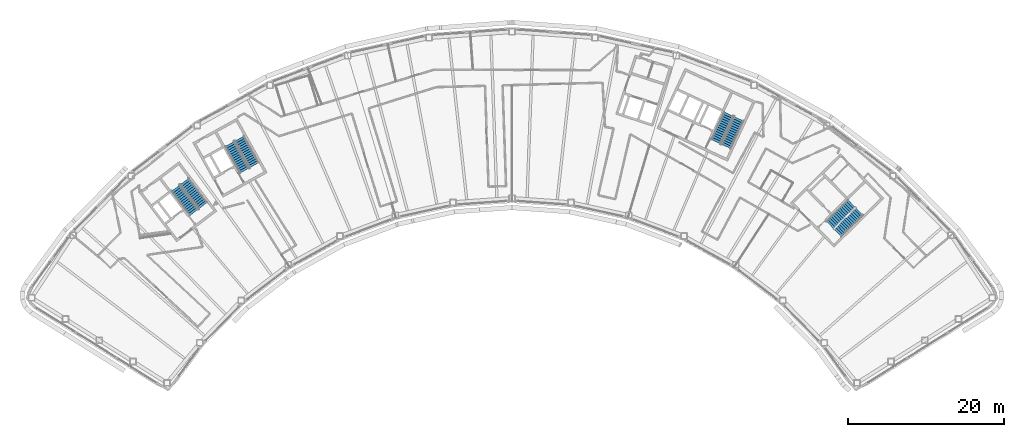
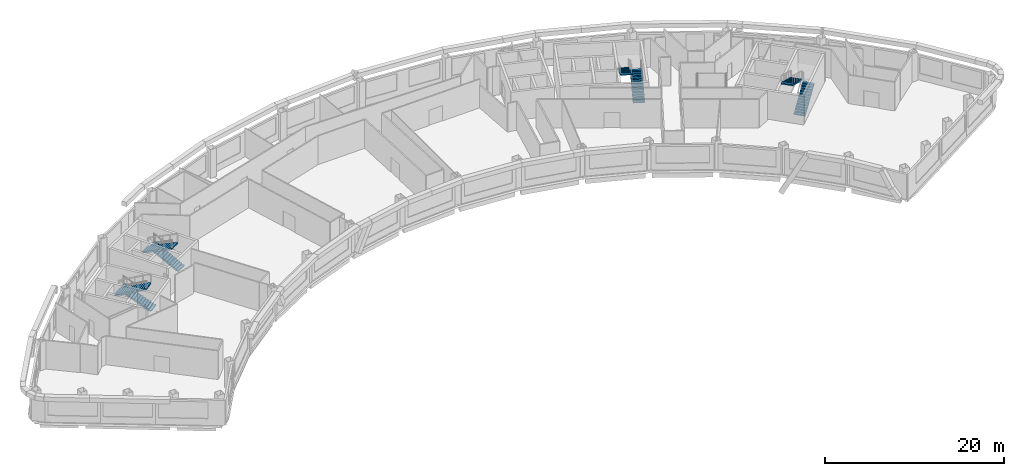
# One storey, part 11 of 13: 8 stair flights, 4 elements without a shape of their own.
"""IFC4 building model written with IfcOpenShell, lengths in metres."""

from ifc_helpers import new_model, si_unit, direction, frame, origin, place, context, subcontext, project, spatial, polyline, outline, extrude, material, type_object, element, aggregate, save


model = new_model("IFC4")

# Units and contexts
model_context = context("Model", 3, precision=1e-05, world=origin(), true_north=direction((0.0, 1.0)))
body_context = subcontext(model_context, "Body", "Model", "MODEL_VIEW")
ifc_project = project(units=[si_unit("LENGTHUNIT", "METRE"), si_unit("AREAUNIT", "SQUARE_METRE"), si_unit("VOLUMEUNIT", "CUBIC_METRE"), si_unit("PLANEANGLEUNIT", "RADIAN"), si_unit("MASSUNIT", "GRAM", prefix="KILO")], contexts=[model_context])

# Site, building, storey
site_placement = place(None, origin())
site = spatial("IfcSite", under=ifc_project, at=site_placement, CompositionType="ELEMENT")
building_placement = place(site_placement, origin())
building = spatial("IfcBuilding", under=site, at=building_placement, Name="Tuul Gate Civic Tower", CompositionType="ELEMENT")
storey_placement = place(building_placement, frame((0.0, 0.0, 290.0)))
storey = spatial("IfcBuildingStorey", under=building, at=storey_placement, Name="Level 65", CompositionType="ELEMENT", Elevation=290.0)

# Stair, stair flights
ifc_material_1 = material(Name="Concrete C40/50", Category="concrete")
stair_type = type_object("IfcStairType", Name="Exit stair", PredefinedType="HALF_TURN_STAIR", material=ifc_material_1)
stair_1_placement = place(storey_placement, origin())
stair_1 = element("IfcStair", 1, at=stair_1_placement, inside=storey, type_object=stair_type, Name="Level 65 ST-1", PredefinedType="HALF_TURN_STAIR")
ifc_material_2 = material(Name="Concrete C40/50", Category="concrete")
stair_flight_type = type_object("IfcStairFlightType", Name="Exit stair flight", PredefinedType="STRAIGHT", material=ifc_material_2)
stair_flight_1_placement = place(storey_placement, frame((-32.875244140625, -13.066650390625, 0.0), z_axis=(0.0, 0.0, 1.0), x_axis=(-0.605764474941, 0.795644016442, 0.0)))
stair_flight_1 = element("IfcStairFlight", 2, at=stair_flight_1_placement, type_object=stair_flight_type, Name="ST-1 flight 1", NumberOfRisers=14, NumberOfTreads=13, PredefinedType="STRAIGHT", RiserHeight=0.15, TreadLength=0.3, context=body_context, shape_type="SweptSolid", body=[
    extrude(outline(polyline([(0.0, 0.0), (0.0, 0.14990234375), (0.300048828125, 0.14990234375), (0.300048828125, 0.300048828125), (0.60009765625, 0.300048828125), (0.60009765625, 0.449951171875), (0.89990234375, 0.449951171875), (0.89990234375, 0.60009765625), (1.199951171875, 0.60009765625), (1.199951171875, 0.75), (1.5, 0.75), (1.5, 0.89990234375), (1.800048828125, 0.89990234375), (1.800048828125, 1.050048828125), (2.10009765625, 1.050048828125), (2.10009765625, 1.199951171875), (2.39990234375, 1.199951171875), (2.39990234375, 1.35009765625), (2.699951171875, 1.35009765625), (2.699951171875, 1.5), (3.0, 1.5), (3.0, 1.64990234375), (3.300048828125, 1.64990234375), (3.300048828125, 1.800048828125), (3.60009765625, 1.800048828125), (3.60009765625, 1.949951171875), (3.89990234375, 1.949951171875), (3.89990234375, 2.10009765625), (3.89990234375, 1.782470703125), (0.335205078125, 0.0), (0.0, 0.0)])), frame((0.0, 0.675048828125, 0.0), z_axis=(0.0, -1.0, 0.0), x_axis=(1.0, 0.0, 0.0)), (0.0, 0.0, 1.0), 1.35009765625),
])
stair_flight_2_placement = place(storey_placement, frame((-36.391357421875, -10.842041015625, 2.10009765625), z_axis=(0.0, 0.0, 1.0), x_axis=(0.605764474941, -0.795644016442, 0.0)))
stair_flight_2 = element("IfcStairFlight", 3, at=stair_flight_2_placement, type_object=stair_flight_type, Name="ST-1 flight 2", NumberOfRisers=14, NumberOfTreads=13, PredefinedType="STRAIGHT", RiserHeight=0.15, TreadLength=0.3, context=body_context, shape_type="SweptSolid", body=[
    extrude(outline(polyline([(0.0, 0.0), (0.0, 0.14990234375), (0.300048828125, 0.14990234375), (0.300048828125, 0.300048828125), (0.60009765625, 0.300048828125), (0.60009765625, 0.449951171875), (0.89990234375, 0.449951171875), (0.89990234375, 0.60009765625), (1.199951171875, 0.60009765625), (1.199951171875, 0.75), (1.5, 0.75), (1.5, 0.89990234375), (1.800048828125, 0.89990234375), (1.800048828125, 1.050048828125), (2.10009765625, 1.050048828125), (2.10009765625, 1.199951171875), (2.39990234375, 1.199951171875), (2.39990234375, 1.35009765625), (2.699951171875, 1.35009765625), (2.699951171875, 1.5), (3.0, 1.5), (3.0, 1.64990234375), (3.300048828125, 1.64990234375), (3.300048828125, 1.800048828125), (3.60009765625, 1.800048828125), (3.60009765625, 1.949951171875), (3.89990234375, 1.949951171875), (3.89990234375, 2.10009765625), (3.89990234375, 1.782470703125), (0.335205078125, 0.0), (0.0, 0.0)])), frame((0.0, 0.675048828125, 0.0), z_axis=(0.0, -1.0, 0.0), x_axis=(1.0, 0.0, 0.0)), (0.0, 0.0, 1.0), 1.35009765625),
])
aggregate(stair_1, [stair_flight_1, stair_flight_2])

stair_2_placement = place(storey_placement, origin())
stair_2 = element("IfcStair", 4, at=stair_2_placement, inside=storey, type_object=stair_type, Name="Level 65 ST-2", PredefinedType="HALF_TURN_STAIR")
stair_flight_3_placement = place(storey_placement, frame((-26.29150390625, -7.87646484375, 0.0), z_axis=(0.0, 0.0, 1.0), x_axis=(-0.484761763766, 0.874646232708, 0.0)))
stair_flight_3 = element("IfcStairFlight", 5, at=stair_flight_3_placement, type_object=stair_flight_type, Name="ST-2 flight 1", NumberOfRisers=14, NumberOfTreads=13, PredefinedType="STRAIGHT", RiserHeight=0.15, TreadLength=0.3, context=body_context, shape_type="SweptSolid", body=[
    extrude(outline(polyline([(0.0, 0.0), (0.0, 0.14990234375), (0.300048828125, 0.14990234375), (0.300048828125, 0.300048828125), (0.60009765625, 0.300048828125), (0.60009765625, 0.449951171875), (0.89990234375, 0.449951171875), (0.89990234375, 0.60009765625), (1.199951171875, 0.60009765625), (1.199951171875, 0.75), (1.5, 0.75), (1.5, 0.89990234375), (1.800048828125, 0.89990234375), (1.800048828125, 1.050048828125), (2.10009765625, 1.050048828125), (2.10009765625, 1.199951171875), (2.39990234375, 1.199951171875), (2.39990234375, 1.35009765625), (2.699951171875, 1.35009765625), (2.699951171875, 1.5), (3.0, 1.5), (3.0, 1.64990234375), (3.300048828125, 1.64990234375), (3.300048828125, 1.800048828125), (3.60009765625, 1.800048828125), (3.60009765625, 1.949951171875), (3.89990234375, 1.949951171875), (3.89990234375, 2.10009765625), (3.89990234375, 1.782470703125), (0.335205078125, 0.0), (0.0, 0.0)])), frame((0.0, 0.675048828125, 0.0), z_axis=(0.0, -1.0, 0.0), x_axis=(1.0, 0.0, 0.0)), (0.0, 0.0, 1.0), 1.35009765625),
])
stair_flight_4_placement = place(storey_placement, frame((-29.450439453125, -5.168212890625, 2.10009765625), z_axis=(0.0, 0.0, 1.0), x_axis=(0.484761763766, -0.874646232708, 0.0)))
stair_flight_4 = element("IfcStairFlight", 6, at=stair_flight_4_placement, type_object=stair_flight_type, Name="ST-2 flight 2", NumberOfRisers=14, NumberOfTreads=13, PredefinedType="STRAIGHT", RiserHeight=0.15, TreadLength=0.3, context=body_context, shape_type="SweptSolid", body=[
    extrude(outline(polyline([(0.0, 0.0), (0.0, 0.14990234375), (0.300048828125, 0.14990234375), (0.300048828125, 0.300048828125), (0.60009765625, 0.300048828125), (0.60009765625, 0.449951171875), (0.89990234375, 0.449951171875), (0.89990234375, 0.60009765625), (1.199951171875, 0.60009765625), (1.199951171875, 0.75), (1.5, 0.75), (1.5, 0.89990234375), (1.800048828125, 0.89990234375), (1.800048828125, 1.050048828125), (2.10009765625, 1.050048828125), (2.10009765625, 1.199951171875), (2.39990234375, 1.199951171875), (2.39990234375, 1.35009765625), (2.699951171875, 1.35009765625), (2.699951171875, 1.5), (3.0, 1.5), (3.0, 1.64990234375), (3.300048828125, 1.64990234375), (3.300048828125, 1.800048828125), (3.60009765625, 1.800048828125), (3.60009765625, 1.949951171875), (3.89990234375, 1.949951171875), (3.89990234375, 2.10009765625), (3.89990234375, 1.782470703125), (0.335205078125, 0.0), (0.0, 0.0)])), frame((0.0, 0.675048828125, 0.0), z_axis=(0.0, -1.0, 0.0), x_axis=(1.0, 0.0, 0.0)), (0.0, 0.0, 1.0), 1.35009765625),
])
aggregate(stair_2, [stair_flight_3, stair_flight_4])

stair_3_placement = place(storey_placement, origin())
stair_3 = element("IfcStair", 7, at=stair_3_placement, inside=storey, type_object=stair_type, Name="Level 65 ST-3", PredefinedType="HALF_TURN_STAIR")
stair_flight_5_placement = place(storey_placement, frame((48.61376953125, -16.581787109375, 0.0), z_axis=(0.0, 0.0, 1.0), x_axis=(0.714127290059, 0.700015866672, 0.0)))
stair_flight_5 = element("IfcStairFlight", 8, at=stair_flight_5_placement, type_object=stair_flight_type, Name="ST-3 flight 1", NumberOfRisers=14, NumberOfTreads=13, PredefinedType="STRAIGHT", RiserHeight=0.15, TreadLength=0.3, context=body_context, shape_type="SweptSolid", body=[
    extrude(outline(polyline([(0.0, 0.0), (0.0, 0.14990234375), (0.300048828125, 0.14990234375), (0.300048828125, 0.300048828125), (0.60009765625, 0.300048828125), (0.60009765625, 0.449951171875), (0.89990234375, 0.449951171875), (0.89990234375, 0.60009765625), (1.199951171875, 0.60009765625), (1.199951171875, 0.75), (1.5, 0.75), (1.5, 0.89990234375), (1.800048828125, 0.89990234375), (1.800048828125, 1.050048828125), (2.10009765625, 1.050048828125), (2.10009765625, 1.199951171875), (2.39990234375, 1.199951171875), (2.39990234375, 1.35009765625), (2.699951171875, 1.35009765625), (2.699951171875, 1.5), (3.0, 1.5), (3.0, 1.64990234375), (3.300048828125, 1.64990234375), (3.300048828125, 1.800048828125), (3.60009765625, 1.800048828125), (3.60009765625, 1.949951171875), (3.89990234375, 1.949951171875), (3.89990234375, 2.10009765625), (3.89990234375, 1.782470703125), (0.335205078125, 0.0), (0.0, 0.0)])), frame((0.0, 0.675048828125, 0.0), z_axis=(0.0, -1.0, 0.0), x_axis=(1.0, 0.0, 0.0)), (0.0, 0.0, 1.0), 1.35009765625),
])
stair_flight_6_placement = place(storey_placement, frame((50.3837890625, -12.816162109375, 2.10009765625), z_axis=(0.0, 0.0, 1.0), x_axis=(-0.714127290059, -0.700015866672, 0.0)))
stair_flight_6 = element("IfcStairFlight", 9, at=stair_flight_6_placement, type_object=stair_flight_type, Name="ST-3 flight 2", NumberOfRisers=14, NumberOfTreads=13, PredefinedType="STRAIGHT", RiserHeight=0.15, TreadLength=0.3, context=body_context, shape_type="SweptSolid", body=[
    extrude(outline(polyline([(0.0, 0.0), (0.0, 0.14990234375), (0.300048828125, 0.14990234375), (0.300048828125, 0.300048828125), (0.60009765625, 0.300048828125), (0.60009765625, 0.449951171875), (0.89990234375, 0.449951171875), (0.89990234375, 0.60009765625), (1.199951171875, 0.60009765625), (1.199951171875, 0.75), (1.5, 0.75), (1.5, 0.89990234375), (1.800048828125, 0.89990234375), (1.800048828125, 1.050048828125), (2.10009765625, 1.050048828125), (2.10009765625, 1.199951171875), (2.39990234375, 1.199951171875), (2.39990234375, 1.35009765625), (2.699951171875, 1.35009765625), (2.699951171875, 1.5), (3.0, 1.5), (3.0, 1.64990234375), (3.300048828125, 1.64990234375), (3.300048828125, 1.800048828125), (3.60009765625, 1.800048828125), (3.60009765625, 1.949951171875), (3.89990234375, 1.949951171875), (3.89990234375, 2.10009765625), (3.89990234375, 1.782470703125), (0.335205078125, 0.0), (0.0, 0.0)])), frame((0.0, 0.675048828125, 0.0), z_axis=(0.0, -1.0, 0.0), x_axis=(1.0, 0.0, 0.0)), (0.0, 0.0, 1.0), 1.35009765625),
])
aggregate(stair_3, [stair_flight_5, stair_flight_6])

stair_4_placement = place(storey_placement, origin())
stair_4 = element("IfcStair", 10, at=stair_4_placement, inside=storey, type_object=stair_type, Name="Level 65 ST-4", PredefinedType="HALF_TURN_STAIR")
stair_flight_7_placement = place(storey_placement, frame((34.278564453125, -5.478515625, 0.0), z_axis=(0.0, 0.0, 1.0), x_axis=(0.422576295988, 0.906327354806, 0.0)))
stair_flight_7 = element("IfcStairFlight", 11, at=stair_flight_7_placement, type_object=stair_flight_type, Name="ST-4 flight 1", NumberOfRisers=14, NumberOfTreads=13, PredefinedType="STRAIGHT", RiserHeight=0.15, TreadLength=0.3, context=body_context, shape_type="SweptSolid", body=[
    extrude(outline(polyline([(0.0, 0.0), (0.0, 0.14990234375), (0.300048828125, 0.14990234375), (0.300048828125, 0.300048828125), (0.60009765625, 0.300048828125), (0.60009765625, 0.449951171875), (0.89990234375, 0.449951171875), (0.89990234375, 0.60009765625), (1.199951171875, 0.60009765625), (1.199951171875, 0.75), (1.5, 0.75), (1.5, 0.89990234375), (1.800048828125, 0.89990234375), (1.800048828125, 1.050048828125), (2.10009765625, 1.050048828125), (2.10009765625, 1.199951171875), (2.39990234375, 1.199951171875), (2.39990234375, 1.35009765625), (2.699951171875, 1.35009765625), (2.699951171875, 1.5), (3.0, 1.5), (3.0, 1.64990234375), (3.300048828125, 1.64990234375), (3.300048828125, 1.800048828125), (3.60009765625, 1.800048828125), (3.60009765625, 1.949951171875), (3.89990234375, 1.949951171875), (3.89990234375, 2.10009765625), (3.89990234375, 1.782470703125), (0.335205078125, 0.0), (0.0, 0.0)])), frame((0.0, 0.675048828125, 0.0), z_axis=(0.0, -1.0, 0.0), x_axis=(1.0, 0.0, 0.0)), (0.0, 0.0, 1.0), 1.35009765625),
])
stair_flight_8_placement = place(storey_placement, frame((34.612548828125, -1.3310546875, 2.10009765625), z_axis=(0.0, 0.0, 1.0), x_axis=(-0.422576295988, -0.906327354806, 0.0)))
stair_flight_8 = element("IfcStairFlight", 12, at=stair_flight_8_placement, type_object=stair_flight_type, Name="ST-4 flight 2", NumberOfRisers=14, NumberOfTreads=13, PredefinedType="STRAIGHT", RiserHeight=0.15, TreadLength=0.3, context=body_context, shape_type="SweptSolid", body=[
    extrude(outline(polyline([(0.0, 0.0), (0.0, 0.14990234375), (0.300048828125, 0.14990234375), (0.300048828125, 0.300048828125), (0.60009765625, 0.300048828125), (0.60009765625, 0.449951171875), (0.89990234375, 0.449951171875), (0.89990234375, 0.60009765625), (1.199951171875, 0.60009765625), (1.199951171875, 0.75), (1.5, 0.75), (1.5, 0.89990234375), (1.800048828125, 0.89990234375), (1.800048828125, 1.050048828125), (2.10009765625, 1.050048828125), (2.10009765625, 1.199951171875), (2.39990234375, 1.199951171875), (2.39990234375, 1.35009765625), (2.699951171875, 1.35009765625), (2.699951171875, 1.5), (3.0, 1.5), (3.0, 1.64990234375), (3.300048828125, 1.64990234375), (3.300048828125, 1.800048828125), (3.60009765625, 1.800048828125), (3.60009765625, 1.949951171875), (3.89990234375, 1.949951171875), (3.89990234375, 2.10009765625), (3.89990234375, 1.782470703125), (0.335205078125, 0.0), (0.0, 0.0)])), frame((0.0, 0.675048828125, 0.0), z_axis=(0.0, -1.0, 0.0), x_axis=(1.0, 0.0, 0.0)), (0.0, 0.0, 1.0), 1.35009765625),
])
aggregate(stair_4, [stair_flight_7, stair_flight_8])

save(model, "model.ifc")
